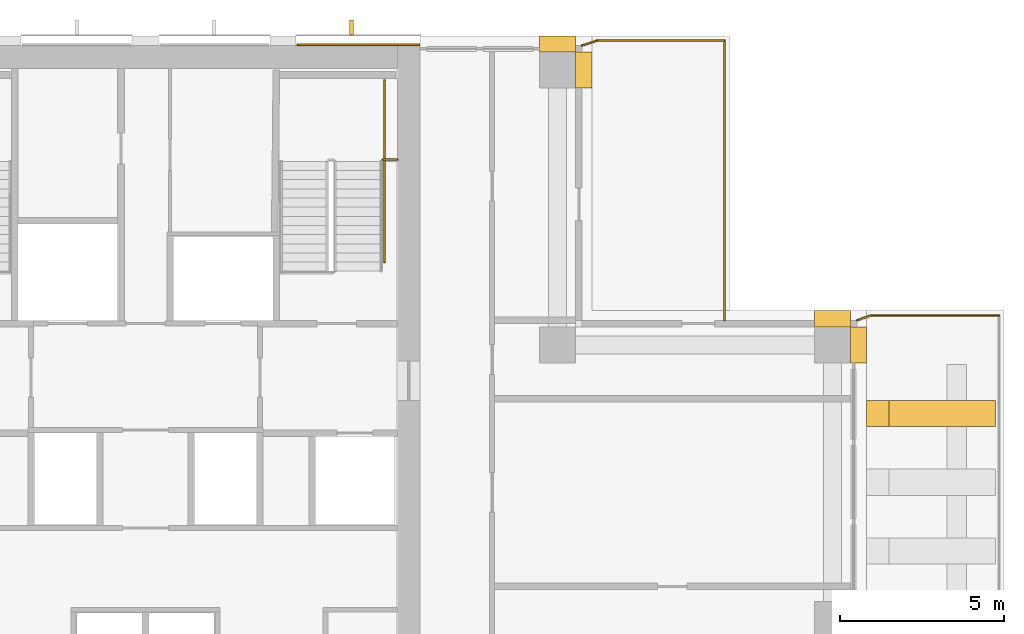
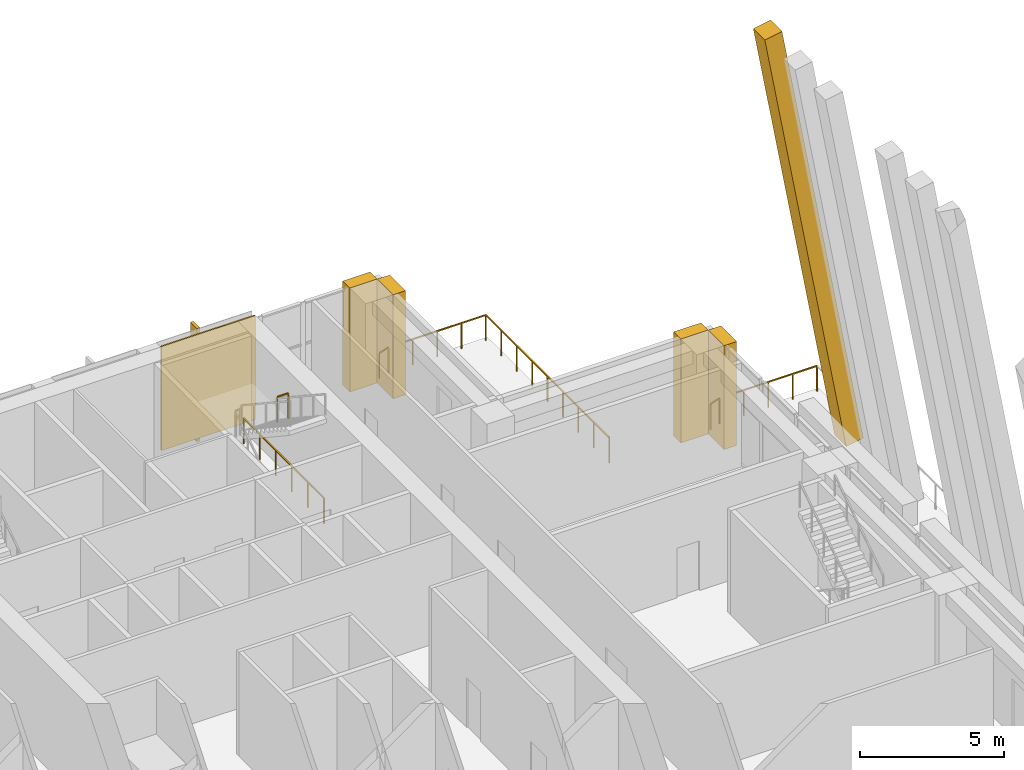
# One storey, part 18 of 19: 7 coverings, 7 railings.
"""IFC4 building model written with IfcOpenShell, lengths in metres."""

from ifc_helpers import new_model, si_unit, direction, frame, origin, origin_2d, place, context, subcontext, project, spatial, polyline, rectangle, outline, extrude, material, layer, layer_set, material_profile, profile_set, type_object, element, save


model = new_model("IFC4")

# Units and contexts
model_context = context("Model", 3, precision=1e-05, world=origin(), true_north=direction((0.0, 1.0)))
body_context = subcontext(model_context, "Body", "Model", "MODEL_VIEW")
ifc_project = project(units=[si_unit("LENGTHUNIT", "METRE"), si_unit("AREAUNIT", "SQUARE_METRE"), si_unit("VOLUMEUNIT", "CUBIC_METRE"), si_unit("PLANEANGLEUNIT", "RADIAN"), si_unit("MASSUNIT", "GRAM", prefix="KILO")], contexts=[model_context])

# Site, building, storey
site_placement = place(None, origin())
site = spatial("IfcSite", under=ifc_project, at=site_placement, CompositionType="ELEMENT")
building_placement = place(site_placement, origin())
building = spatial("IfcBuilding", under=site, at=building_placement, Name="Vermilion Ogive Tower", CompositionType="ELEMENT")
storey_placement = place(building_placement, frame((0.0, 0.0, 128.300048828125)))
storey = spatial("IfcBuildingStorey", under=building, at=storey_placement, Name="L32", CompositionType="ELEMENT", Elevation=128.300048828125)

# Covering
ifc_material_1 = material(Name="Glazed ceramic screen")
ifc_layer = layer(ifc_material_1, 0.14990234375)
ifc_layer_set = layer_set([ifc_layer], Name="Ceramic solar screen fin")
covering_type_1 = type_object("IfcCoveringType", Name="Ceramic solar screen fin", PredefinedType="CLADDING", material=ifc_layer_set)
covering_1_placement = place(storey_placement, frame((0.0, 0.0, -0.400146484375)))
element("IfcCovering", 1, at=covering_1_placement, inside=storey, type_object=covering_type_1, Name="Solar screen blade N4", PredefinedType="CLADDING", context=body_context, shape_type="SweptSolid", body=[
    extrude(outline(polyline([(6.239990234375, 22.08203125), (6.360107421875, 22.08203125), (6.360107421875, 22.531982421875), (6.239990234375, 22.531982421875), (6.239990234375, 22.08203125)])), origin(), (0.0, 0.0, 1.0), 4.800048828125),
])

# Railings
ifc_material_2 = material(Name="Steel S355 painted", Category="steel")
railing_type_1 = type_object("IfcRailingType", Name="Stair guard 1100", PredefinedType="GUARDRAIL", material=ifc_material_2)
railing_1_placement = place(storey_placement, frame((7.25, 18.260009765625, 2.39990234375)))
element("IfcRailing", 2, at=railing_1_placement, inside=storey, type_object=railing_type_1, Name="L32 landing guard", PredefinedType="GUARDRAIL", context=body_context, shape_type="SweptSolid", body=[
    extrude(rectangle(XDim=0.048095703125, YDim=0.048095703125, at=origin_2d()), frame((0.0, 0.0, 1.076171875), z_axis=(1.0, 0.0, 0.0), x_axis=(0.0, 1.0, 0.0)), (0.0, 0.0, 1.0), 0.449951171875),
    extrude(rectangle(XDim=0.0419921875, YDim=0.0419921875, at=origin_2d()), origin(), (0.0, 0.0, 1.0), 1.052001953125),
    extrude(rectangle(XDim=0.0419921875, YDim=0.0419921875, at=origin_2d()), frame((0.449951171875, 0.0, 0.0)), (0.0, 0.0, 1.0), 1.052001953125),
])
railing_2_placement = place(storey_placement, frame((7.31005859375, 15.125732421875, 0.0)))
element("IfcRailing", 3, at=railing_2_placement, inside=storey, type_object=railing_type_1, Name="L32 stair opening guard", PredefinedType="GUARDRAIL", context=body_context, shape_type="SweptSolid", body=[
    extrude(rectangle(XDim=0.048095703125, YDim=0.048095703125, at=origin_2d()), frame((0.0, 0.0, 1.076171875), z_axis=(0.0, 1.0, 0.0), x_axis=(-1.0, 0.0, 0.0)), (0.0, 0.0, 1.0), 5.564208984375),
    extrude(rectangle(XDim=0.0419921875, YDim=0.0419921875, at=origin_2d()), origin(), (0.0, 0.0, 1.0), 1.052001953125),
    extrude(rectangle(XDim=0.0419921875, YDim=0.0419921875, at=origin_2d()), frame((0.0, 1.11279296875, 0.0)), (0.0, 0.0, 1.0), 1.052001953125),
    extrude(rectangle(XDim=0.0419921875, YDim=0.0419921875, at=origin_2d()), frame((0.0, 2.2255859375, 0.0)), (0.0, 0.0, 1.0), 1.052001953125),
    extrude(rectangle(XDim=0.0419921875, YDim=0.0419921875, at=origin_2d()), frame((0.0, 3.338623046875, 0.0)), (0.0, 0.0, 1.0), 1.052001953125),
    extrude(rectangle(XDim=0.0419921875, YDim=0.0419921875, at=origin_2d()), frame((0.0, 4.451416015625, 0.0)), (0.0, 0.0, 1.0), 1.052001953125),
    extrude(rectangle(XDim=0.0419921875, YDim=0.0419921875, at=origin_2d()), frame((0.0, 5.564208984375, 0.0)), (0.0, 0.0, 1.0), 1.052001953125),
])

# Coverings
ifc_material_3 = material(Name="Stone cladding", Category="masonry")
covering_type_2 = type_object("IfcCoveringType", Name="Stone cladding panel", PredefinedType="CLADDING", material=ifc_material_3)
covering_2_placement = place(storey_placement, origin())
element("IfcCovering", 4, at=covering_2_placement, inside=storey, type_object=covering_type_2, Name="Stone cladding panel N4", PredefinedType="CLADDING", context=body_context, shape_type="SweptSolid", body=[
    extrude(outline(polyline([(4.6298828125, 21.75), (8.389892578125, 21.75), (8.389892578125, 21.81005859375), (4.6298828125, 21.81005859375), (4.6298828125, 21.75)])), origin(), (0.0, 0.0, 1.0), 4.39990234375),
])
ifc_material_4 = material(Name="Stone cladding", Category="masonry")
ifc_material_profile = material_profile(ifc_material_4, rectangle(XDim=0.800048828125, YDim=0.699951171875, at=origin_2d()), Name="STONE 800x700")
ifc_profile_set = profile_set([ifc_material_profile], Name="Stone cladding")
covering_type_3 = type_object("IfcCoveringType", Name="Stone flare fin", PredefinedType="CLADDING", material=ifc_profile_set)
covering_3_placement = place(storey_placement, frame((25.64990234375, 10.5, 0.06103515625), z_axis=(-0.174779768693, 0.0, 0.984607552508), x_axis=(0.0, -1.0, 0.0)))
element("IfcCovering", 5, at=covering_3_placement, inside=storey, type_object=covering_type_3, Name="Stone flare fin EL09", PredefinedType="CLADDING", context=body_context, shape_type="SweptSolid", body=[
    extrude(rectangle(XDim=0.800048828125, YDim=0.699951171875, at=origin_2d()), origin(), (0.0, 0.0, 1.0), 18.62548828125),
])
ifc_material_5 = material(Name="Stone cladding", Category="masonry")
covering_type_4 = type_object("IfcCoveringType", Name="Stone pier", PredefinedType="CLADDING", material=ifc_material_5)
covering_4_placement = place(storey_placement, origin())
element("IfcCovering", 6, at=covering_4_placement, inside=storey, type_object=covering_type_4, Name="Stone pier P+0126+210X4", PredefinedType="CLADDING", context=body_context, shape_type="SweptSolid", body=[
    extrude(outline(polyline([(13.64990234375, 21.550048828125), (13.64990234375, 20.449951171875), (13.14990234375, 20.449951171875), (13.14990234375, 21.550048828125), (13.64990234375, 21.550048828125)])), origin(), (0.0, 0.0, 1.0), 4.39990234375),
])
covering_5_placement = place(storey_placement, origin())
element("IfcCovering", 7, at=covering_5_placement, inside=storey, type_object=covering_type_4, Name="Stone pier P+0126+210N1", PredefinedType="CLADDING", context=body_context, shape_type="SweptSolid", body=[
    extrude(outline(polyline([(13.14990234375, 22.050048828125), (13.14990234375, 21.550048828125), (12.050048828125, 21.550048828125), (12.050048828125, 22.050048828125), (13.14990234375, 22.050048828125)])), origin(), (0.0, 0.0, 1.0), 4.39990234375),
])
covering_6_placement = place(storey_placement, origin())
element("IfcCovering", 8, at=covering_6_placement, inside=storey, type_object=covering_type_4, Name="Stone pier P+0210+126E", PredefinedType="CLADDING", context=body_context, shape_type="SweptSolid", body=[
    extrude(outline(polyline([(22.050048828125, 13.14990234375), (22.050048828125, 12.050048828125), (21.550048828125, 12.050048828125), (21.550048828125, 13.14990234375), (22.050048828125, 13.14990234375)])), origin(), (0.0, 0.0, 1.0), 4.39990234375),
])
covering_7_placement = place(storey_placement, origin())
element("IfcCovering", 9, at=covering_7_placement, inside=storey, type_object=covering_type_4, Name="Stone pier P+0210+126X3", PredefinedType="CLADDING", context=body_context, shape_type="SweptSolid", body=[
    extrude(outline(polyline([(21.550048828125, 13.64990234375), (21.550048828125, 13.14990234375), (20.449951171875, 13.14990234375), (20.449951171875, 13.64990234375), (21.550048828125, 13.64990234375)])), origin(), (0.0, 0.0, 1.0), 4.39990234375),
])

# Railings
ifc_material_6 = material(Name="Stainless steel and glass", Category="steel")
railing_type_2 = type_object("IfcRailingType", Name="Terrace guard", PredefinedType="GUARDRAIL", material=ifc_material_6)
railing_3_placement = place(storey_placement, frame((13.35009765625, 21.75, 0.0)))
element("IfcRailing", 10, at=railing_3_placement, inside=storey, type_object=railing_type_2, Name="Terrace guard 4.1", PredefinedType="GUARDRAIL", context=body_context, shape_type="SweptSolid", body=[
    extrude(rectangle(XDim=0.048095703125, YDim=0.048095703125, at=origin_2d()), frame((0.0, 0.0, 1.076171875), z_axis=(0.948734763221, 0.316073328604, 0.0), x_axis=(-0.316073328604, 0.948734763221, 0.0)), (0.0, 0.0, 1.0), 0.474365234375),
    extrude(rectangle(XDim=0.0419921875, YDim=0.0419921875, at=origin_2d()), origin(), (0.0, 0.0, 1.0), 1.052001953125),
    extrude(rectangle(XDim=0.0419921875, YDim=0.0419921875, at=origin_2d()), frame((0.449951171875, 0.14990234375, 0.0)), (0.0, 0.0, 1.0), 1.052001953125),
])
railing_4_placement = place(storey_placement, frame((13.800048828125, 21.89990234375, 0.0)))
element("IfcRailing", 11, at=railing_4_placement, inside=storey, type_object=railing_type_2, Name="Terrace guard 4.1.2", PredefinedType="GUARDRAIL", context=body_context, shape_type="SweptSolid", body=[
    extrude(rectangle(XDim=0.048095703125, YDim=0.048095703125, at=origin_2d()), frame((0.0, 0.0, 1.076171875), z_axis=(1.0, 0.0, 0.0), x_axis=(0.0, 1.0, 0.0)), (0.0, 0.0, 1.0), 3.89990234375),
    extrude(rectangle(XDim=0.0419921875, YDim=0.0419921875, at=origin_2d()), origin(), (0.0, 0.0, 1.0), 1.052001953125),
    extrude(rectangle(XDim=0.0419921875, YDim=0.0419921875, at=origin_2d()), frame((0.97509765625, 0.0, 0.0)), (0.0, 0.0, 1.0), 1.052001953125),
    extrude(rectangle(XDim=0.0419921875, YDim=0.0419921875, at=origin_2d()), frame((1.949951171875, 0.0, 0.0)), (0.0, 0.0, 1.0), 1.052001953125),
    extrude(rectangle(XDim=0.0419921875, YDim=0.0419921875, at=origin_2d()), frame((2.9248046875, 0.0, 0.0)), (0.0, 0.0, 1.0), 1.052001953125),
    extrude(rectangle(XDim=0.0419921875, YDim=0.0419921875, at=origin_2d()), frame((3.89990234375, 0.0, 0.0)), (0.0, 0.0, 1.0), 1.052001953125),
])
railing_5_placement = place(storey_placement, frame((17.699951171875, 21.89990234375, 0.0)))
element("IfcRailing", 12, at=railing_5_placement, inside=storey, type_object=railing_type_2, Name="Terrace guard 4.1.3", PredefinedType="GUARDRAIL", context=body_context, shape_type="SweptSolid", body=[
    extrude(rectangle(XDim=0.048095703125, YDim=0.048095703125, at=origin_2d()), frame((0.0, 0.0, 1.076171875), z_axis=(0.0, -1.0, 0.0), x_axis=(1.0, 0.0, 0.0)), (0.0, 0.0, 1.0), 8.5498046875),
    extrude(rectangle(XDim=0.0419921875, YDim=0.0419921875, at=origin_2d()), origin(), (0.0, 0.0, 1.0), 1.052001953125),
    extrude(rectangle(XDim=0.0419921875, YDim=0.0419921875, at=origin_2d()), frame((0.0, -1.06884765625, 0.0)), (0.0, 0.0, 1.0), 1.052001953125),
    extrude(rectangle(XDim=0.0419921875, YDim=0.0419921875, at=origin_2d()), frame((0.0, -2.137451171875, 0.0)), (0.0, 0.0, 1.0), 1.052001953125),
    extrude(rectangle(XDim=0.0419921875, YDim=0.0419921875, at=origin_2d()), frame((0.0, -3.2060546875, 0.0)), (0.0, 0.0, 1.0), 1.052001953125),
    extrude(rectangle(XDim=0.0419921875, YDim=0.0419921875, at=origin_2d()), frame((0.0, -4.27490234375, 0.0)), (0.0, 0.0, 1.0), 1.052001953125),
    extrude(rectangle(XDim=0.0419921875, YDim=0.0419921875, at=origin_2d()), frame((0.0, -5.34375, 0.0)), (0.0, 0.0, 1.0), 1.052001953125),
    extrude(rectangle(XDim=0.0419921875, YDim=0.0419921875, at=origin_2d()), frame((0.0, -6.412353515625, 0.0)), (0.0, 0.0, 1.0), 1.052001953125),
    extrude(rectangle(XDim=0.0419921875, YDim=0.0419921875, at=origin_2d()), frame((0.0, -7.48095703125, 0.0)), (0.0, 0.0, 1.0), 1.052001953125),
    extrude(rectangle(XDim=0.0419921875, YDim=0.0419921875, at=origin_2d()), frame((0.0, -8.5498046875, 0.0)), (0.0, 0.0, 1.0), 1.052001953125),
])
railing_6_placement = place(storey_placement, frame((21.75, 13.35009765625, 0.0)))
element("IfcRailing", 13, at=railing_6_placement, inside=storey, type_object=railing_type_2, Name="Terrace guard 5.1", PredefinedType="GUARDRAIL", context=body_context, shape_type="SweptSolid", body=[
    extrude(rectangle(XDim=0.048095703125, YDim=0.048095703125, at=origin_2d()), frame((0.0, 0.0, 1.076171875), z_axis=(0.948734763221, 0.316073328604, 0.0), x_axis=(-0.316073328604, 0.948734763221, 0.0)), (0.0, 0.0, 1.0), 0.474365234375),
    extrude(rectangle(XDim=0.0419921875, YDim=0.0419921875, at=origin_2d()), origin(), (0.0, 0.0, 1.0), 1.052001953125),
    extrude(rectangle(XDim=0.0419921875, YDim=0.0419921875, at=origin_2d()), frame((0.449951171875, 0.14990234375, 0.0)), (0.0, 0.0, 1.0), 1.052001953125),
])
railing_7_placement = place(storey_placement, frame((22.199951171875, 13.5, 0.0)))
element("IfcRailing", 14, at=railing_7_placement, inside=storey, type_object=railing_type_2, Name="Terrace guard 5.1.2", PredefinedType="GUARDRAIL", context=body_context, shape_type="SweptSolid", body=[
    extrude(rectangle(XDim=0.048095703125, YDim=0.048095703125, at=origin_2d()), frame((0.0, 0.0, 1.076171875), z_axis=(1.0, 0.0, 0.0), x_axis=(0.0, 1.0, 0.0)), (0.0, 0.0, 1.0), 3.900146484375),
    extrude(rectangle(XDim=0.0419921875, YDim=0.0419921875, at=origin_2d()), origin(), (0.0, 0.0, 1.0), 1.052001953125),
    extrude(rectangle(XDim=0.0419921875, YDim=0.0419921875, at=origin_2d()), frame((0.97509765625, 0.0, 0.0)), (0.0, 0.0, 1.0), 1.052001953125),
    extrude(rectangle(XDim=0.0419921875, YDim=0.0419921875, at=origin_2d()), frame((1.9501953125, 0.0, 0.0)), (0.0, 0.0, 1.0), 1.052001953125),
    extrude(rectangle(XDim=0.0419921875, YDim=0.0419921875, at=origin_2d()), frame((2.925048828125, 0.0, 0.0)), (0.0, 0.0, 1.0), 1.052001953125),
    extrude(rectangle(XDim=0.0419921875, YDim=0.0419921875, at=origin_2d()), frame((3.900146484375, 0.0, 0.0)), (0.0, 0.0, 1.0), 1.052001953125),
])

save(model, "model.ifc")
